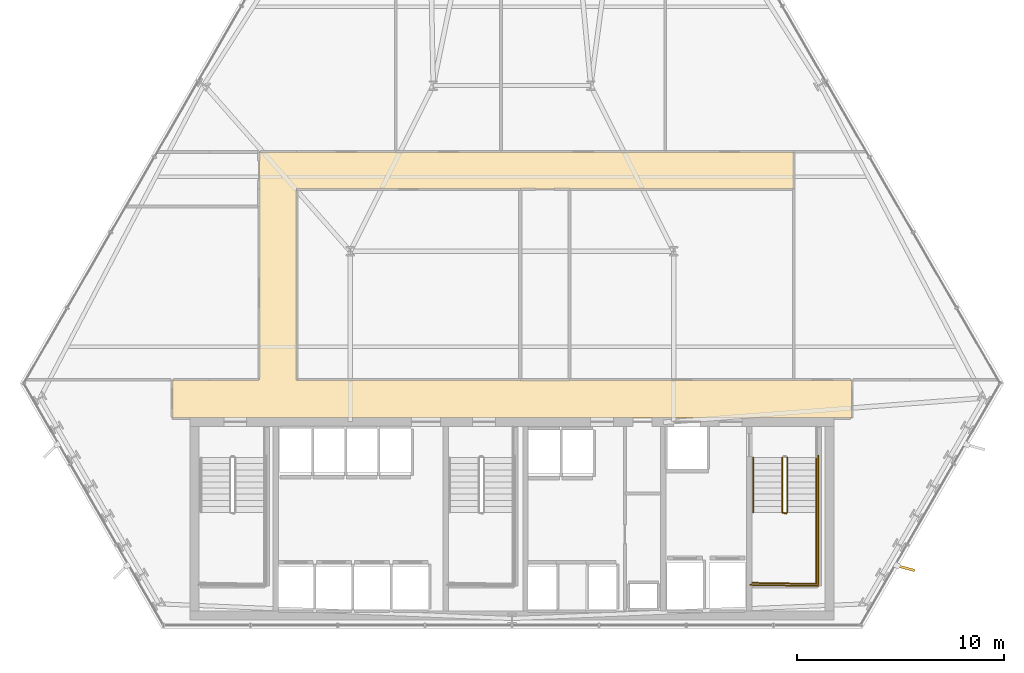
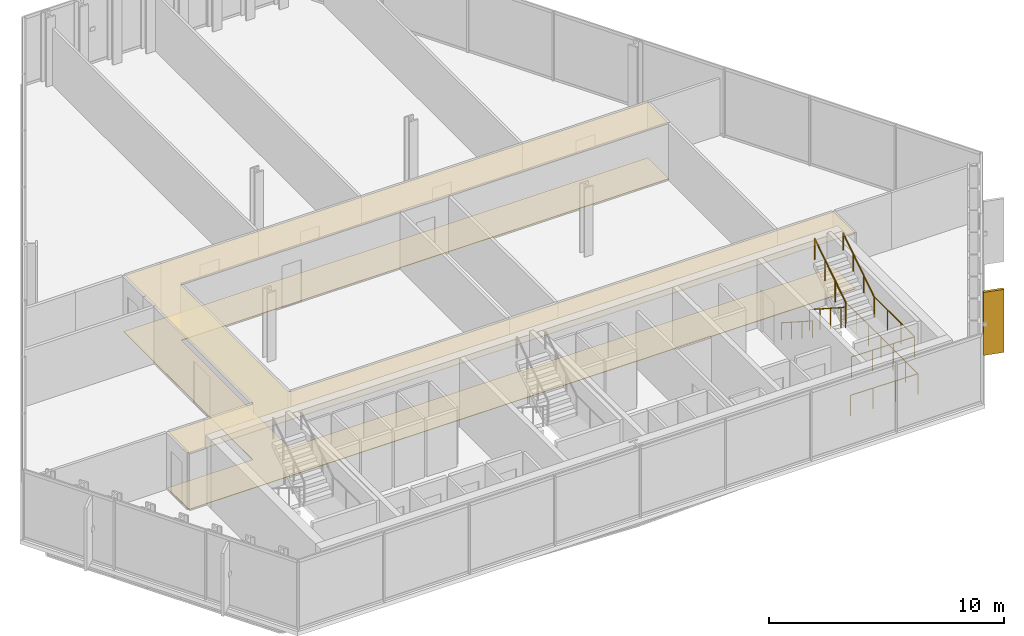
# One storey, part 29 of 31: 6 railings, 2 coverings, 1 shading device.
"""IFC4 building model written with IfcOpenShell, lengths in metres."""

from ifc_helpers import new_model, si_unit, direction, frame, origin, origin_2d, place, context, subcontext, project, spatial, polyline, rectangle, circle, outline, extrude, material, layer, layer_set, type_object, element, save


model = new_model("IFC4")

# Units and contexts
model_context = context("Model", 3, precision=1e-05, world=origin(), true_north=direction((0.0, 1.0)))
body_context = subcontext(model_context, "Body", "Model", "MODEL_VIEW")
ifc_project = project(units=[si_unit("LENGTHUNIT", "METRE"), si_unit("AREAUNIT", "SQUARE_METRE"), si_unit("VOLUMEUNIT", "CUBIC_METRE"), si_unit("PLANEANGLEUNIT", "RADIAN"), si_unit("MASSUNIT", "GRAM", prefix="KILO")], contexts=[model_context])

# Site, building, storey
site_placement = place(None, origin())
site = spatial("IfcSite", under=ifc_project, at=site_placement, CompositionType="ELEMENT")
building_placement = place(site_placement, origin())
building = spatial("IfcBuilding", under=site, at=building_placement, Name="Ndaravel Arena Tower", CompositionType="ELEMENT")
storey_placement = place(building_placement, frame((0.0, 0.0, 104.39990234375)))
storey = spatial("IfcBuildingStorey", under=building, at=storey_placement, Name="L24", CompositionType="ELEMENT", Elevation=104.39990234375)

# Coverings
ifc_material_1 = material(Name="Acoustic Ceiling Tile", Category="finish")
ifc_layer_1 = layer(ifc_material_1, 0.02490234375)
ifc_layer_set_1 = layer_set([ifc_layer_1], Name="Acoustic Ceiling Tile")
covering_type_1 = type_object("IfcCoveringType", Name="COV-CEIL-AC600", PredefinedType="CEILING", material=ifc_layer_set_1)
covering_1_placement = place(storey_placement, frame((0.0, 0.0, 2.920166015625)))
element("IfcCovering", 1, at=covering_1_placement, inside=storey, type_object=covering_type_1, Name="L24 Corridor Acoustic Ceiling", PredefinedType="CEILING", context=body_context, shape_type="SweptSolid", body=[
    extrude(outline(polyline([(58.39990234375, 17.0), (31.60009765625, 17.0), (31.60009765625, 26.199951171875), (55.60009765625, 26.199951171875), (55.60009765625, 28.0), (31.60009765625, 28.0), (29.800048828125, 28.0), (29.800048828125, 26.199951171875), (29.800048828125, 17.0), (25.60009765625, 17.0), (25.60009765625, 15.14990234375), (58.39990234375, 15.14990234375), (58.39990234375, 17.0)])), origin(), (0.0, 0.0, 1.0), 0.02490234375),
])
ifc_material_2 = material(Name="Terrazzo", Category="stone")
ifc_layer_2 = layer(ifc_material_2, 0.030029296875)
ifc_layer_set_2 = layer_set([ifc_layer_2], Name="Terrazzo")
covering_type_2 = type_object("IfcCoveringType", Name="COV-FLOOR-TERRAZZO", PredefinedType="FLOORING", material=ifc_layer_set_2)
covering_2_placement = place(storey_placement, origin())
element("IfcCovering", 2, at=covering_2_placement, inside=storey, type_object=covering_type_2, Name="L24 Corridor Terrazzo Flooring", PredefinedType="FLOORING", context=body_context, shape_type="SweptSolid", body=[
    extrude(outline(polyline([(58.39990234375, 17.0), (31.60009765625, 17.0), (31.60009765625, 26.199951171875), (55.60009765625, 26.199951171875), (55.60009765625, 28.0), (31.60009765625, 28.0), (29.800048828125, 28.0), (29.800048828125, 26.199951171875), (29.800048828125, 17.0), (25.60009765625, 17.0), (25.60009765625, 15.14990234375), (58.39990234375, 15.14990234375), (58.39990234375, 17.0)])), origin(), (0.0, 0.0, 1.0), 0.030029296875),
])

# Railings
ifc_material_3 = material(Name="Steel S355", Category="steel")
ifc_layer_3 = layer(ifc_material_3, 0.06005859375)
ifc_layer_set_3 = layer_set([ifc_layer_3], Name="Steel S355")
railing_type_1 = type_object("IfcRailingType", Name="RAIL-STAIR-GD1100", PredefinedType="GUARDRAIL", material=ifc_layer_set_3)
railing_1_placement = place(storey_placement, frame((55.050048828125, 13.25, 0.190185546875)))
element("IfcRailing", 3, at=railing_1_placement, inside=storey, type_object=railing_type_1, Name="L24 ST-3 stair guard 1", PredefinedType="GUARDRAIL", context=body_context, shape_type="SweptSolid", body=[
    extrude(circle(Radius=0.02392578125, at=origin_2d()), frame((0.0, 0.0, 1.076171875), z_axis=(0.0, -0.840723540582, 0.54146461409), x_axis=(1.0, 0.0, 0.0)), (0.0, 0.0, 1.0), 3.157958984375),
    extrude(circle(Radius=0.02392578125, at=origin_2d()), frame((0.0, -2.655029296875, 2.7861328125), z_axis=(0.966993988697, -0.254799187253, 0.0), x_axis=(0.254799187253, 0.966993988697, 0.0)), (0.0, 0.0, 1.0), 0.196533203125),
    extrude(circle(Radius=0.02099609375, at=origin_2d()), origin(), (0.0, 0.0, 1.0), 1.052001953125),
    extrude(circle(Radius=0.02099609375, at=origin_2d()), frame((0.0, -0.885009765625, 0.570068359375)), (0.0, 0.0, 1.0), 1.052001953125),
    extrude(circle(Radius=0.02099609375, at=origin_2d()), frame((0.0, -1.77001953125, 1.139892578125)), (0.0, 0.0, 1.0), 1.052001953125),
    extrude(circle(Radius=0.02099609375, at=origin_2d()), frame((0.0, -2.655029296875, 1.7099609375)), (0.0, 0.0, 1.0), 1.052001953125),
    extrude(circle(Radius=0.02099609375, at=origin_2d()), frame((0.18994140625, -2.705078125, 1.7099609375)), (0.0, 0.0, 1.0), 1.052001953125),
])
railing_2_placement = place(storey_placement, frame((56.68994140625, 10.594970703125, 1.900146484375)))
element("IfcRailing", 4, at=railing_2_placement, inside=storey, type_object=railing_type_1, Name="L24 ST-3 stair guard 2", PredefinedType="GUARDRAIL", context=body_context, shape_type="SweptSolid", body=[
    extrude(circle(Radius=0.02392578125, at=origin_2d()), frame((0.0, 0.0, 1.076171875), z_axis=(0.0, -1.0, 0.0), x_axis=(1.0, 0.0, 0.0)), (0.0, 0.0, 1.0), 3.445068359375),
    extrude(circle(Radius=0.02392578125, at=origin_2d()), frame((0.0, -3.445068359375, 1.076171875), z_axis=(-0.999868840623, 0.016195726322, 0.0), x_axis=(-0.016195726322, -0.999868840623, 0.0)), (0.0, 0.0, 1.0), 3.09033203125),
    extrude(circle(Radius=0.02099609375, at=origin_2d()), origin(), (0.0, 0.0, 1.0), 1.052001953125),
    extrude(circle(Radius=0.02099609375, at=origin_2d()), frame((0.0, -1.1484375, 0.0)), (0.0, 0.0, 1.0), 1.052001953125),
    extrude(circle(Radius=0.02099609375, at=origin_2d()), frame((0.0, -2.296630859375, 0.0)), (0.0, 0.0, 1.0), 1.052001953125),
    extrude(circle(Radius=0.02099609375, at=origin_2d()), frame((0.0, -3.445068359375, 0.0)), (0.0, 0.0, 1.0), 1.052001953125),
    extrude(circle(Radius=0.02099609375, at=origin_2d()), frame((-1.030029296875, -3.428466796875, 0.0)), (0.0, 0.0, 1.0), 1.052001953125),
    extrude(circle(Radius=0.02099609375, at=origin_2d()), frame((-2.059814453125, -3.41162109375, 0.0)), (0.0, 0.0, 1.0), 1.052001953125),
    extrude(circle(Radius=0.02099609375, at=origin_2d()), frame((-3.08984375, -3.39501953125, 0.0)), (0.0, 0.0, 1.0), 1.052001953125),
])
railing_3_placement = place(storey_placement, frame((55.2900390625, 10.594970703125, 2.090087890625)))
element("IfcRailing", 5, at=railing_3_placement, inside=storey, type_object=railing_type_1, Name="L24 ST-3 stair guard 3", PredefinedType="GUARDRAIL", context=body_context, shape_type="SweptSolid", body=[
    extrude(circle(Radius=0.02392578125, at=origin_2d()), frame((0.0, 0.0, 1.076171875), z_axis=(0.0, 0.840723540582, 0.54146461409), x_axis=(-1.0, 0.0, 0.0)), (0.0, 0.0, 1.0), 3.157958984375),
    extrude(circle(Radius=0.02099609375, at=origin_2d()), origin(), (0.0, 0.0, 1.0), 1.052001953125),
    extrude(circle(Radius=0.02099609375, at=origin_2d()), frame((0.0, 0.885009765625, 0.570068359375)), (0.0, 0.0, 1.0), 1.052001953125),
    extrude(circle(Radius=0.02099609375, at=origin_2d()), frame((0.0, 1.77001953125, 1.139892578125)), (0.0, 0.0, 1.0), 1.052001953125),
    extrude(circle(Radius=0.02099609375, at=origin_2d()), frame((0.0, 2.655029296875, 1.7099609375)), (0.0, 0.0, 1.0), 1.052001953125),
])
railing_4_placement = place(storey_placement, frame((56.7900390625, 13.35009765625, 0.0)))
element("IfcRailing", 6, at=railing_4_placement, inside=storey, type_object=railing_type_1, Name="L24 ST-3 stair guard 6", PredefinedType="GUARDRAIL", context=body_context, shape_type="SweptSolid", body=[
    extrude(circle(Radius=0.02392578125, at=origin_2d()), frame((0.0, 0.0, 1.076171875), z_axis=(0.0, -1.0, 0.0), x_axis=(1.0, 0.0, 0.0)), (0.0, 0.0, 1.0), 6.300048828125),
    extrude(circle(Radius=0.02392578125, at=origin_2d()), frame((0.0, -6.300048828125, 1.076171875), z_axis=(-0.99988431412, 0.015210469308, 0.0), x_axis=(-0.015210469308, -0.99988431412, 0.0)), (0.0, 0.0, 1.0), 3.29052734375),
    extrude(circle(Radius=0.02099609375, at=origin_2d()), origin(), (0.0, 0.0, 1.0), 1.052001953125),
    extrude(circle(Radius=0.02099609375, at=origin_2d()), frame((0.0, -1.050048828125, 0.0)), (0.0, 0.0, 1.0), 1.052001953125),
    extrude(circle(Radius=0.02099609375, at=origin_2d()), frame((0.0, -2.10009765625, 0.0)), (0.0, 0.0, 1.0), 1.052001953125),
    extrude(circle(Radius=0.02099609375, at=origin_2d()), frame((0.0, -3.14990234375, 0.0)), (0.0, 0.0, 1.0), 1.052001953125),
    extrude(circle(Radius=0.02099609375, at=origin_2d()), frame((0.0, -4.199951171875, 0.0)), (0.0, 0.0, 1.0), 1.052001953125),
    extrude(circle(Radius=0.02099609375, at=origin_2d()), frame((0.0, -5.25, 0.0)), (0.0, 0.0, 1.0), 1.052001953125),
    extrude(circle(Radius=0.02099609375, at=origin_2d()), frame((0.0, -6.300048828125, 0.0)), (0.0, 0.0, 1.0), 1.052001953125),
    extrude(circle(Radius=0.02099609375, at=origin_2d()), frame((-1.0966796875, -6.283447265625, 0.0)), (0.0, 0.0, 1.0), 1.052001953125),
    extrude(circle(Radius=0.02099609375, at=origin_2d()), frame((-2.193359375, -6.2666015625, 0.0)), (0.0, 0.0, 1.0), 1.052001953125),
    extrude(circle(Radius=0.02099609375, at=origin_2d()), frame((-3.2900390625, -6.25, 0.0)), (0.0, 0.0, 1.0), 1.052001953125),
])
ifc_material_4 = material(Name="Steel S355", Category="steel")
ifc_layer_4 = layer(ifc_material_4, 0.050048828125)
ifc_layer_set_4 = layer_set([ifc_layer_4], Name="Steel S355")
railing_type_2 = type_object("IfcRailingType", Name="RAIL-STAIR-HR920", PredefinedType="HANDRAIL", material=ifc_layer_set_4)
railing_5_placement = place(storey_placement, frame((53.64990234375, 13.25, 0.190185546875)))
element("IfcRailing", 7, at=railing_5_placement, inside=storey, type_object=railing_type_2, Name="L24 ST-3 stair handrail 1", PredefinedType="HANDRAIL", context=body_context, shape_type="SweptSolid", body=[
    extrude(circle(Radius=0.02392578125, at=origin_2d()), frame((0.0, 0.0, 0.8759765625), z_axis=(0.0, -0.840723540582, 0.54146461409), x_axis=(1.0, 0.0, 0.0)), (0.0, 0.0, 1.0), 3.157958984375),
    extrude(circle(Radius=0.02099609375, at=origin_2d()), origin(), (0.0, 0.0, 1.0), 0.851806640625),
    extrude(circle(Radius=0.02099609375, at=origin_2d()), frame((0.0, -0.885009765625, 0.570068359375)), (0.0, 0.0, 1.0), 0.851806640625),
    extrude(circle(Radius=0.02099609375, at=origin_2d()), frame((0.0, -1.77001953125, 1.139892578125)), (0.0, 0.0, 1.0), 0.851806640625),
    extrude(circle(Radius=0.02099609375, at=origin_2d()), frame((0.0, -2.655029296875, 1.7099609375)), (0.0, 0.0, 1.0), 0.851806640625),
])
railing_6_placement = place(storey_placement, frame((56.68994140625, 10.594970703125, 2.090087890625)))
element("IfcRailing", 8, at=railing_6_placement, inside=storey, type_object=railing_type_2, Name="L24 ST-3 stair handrail 2", PredefinedType="HANDRAIL", context=body_context, shape_type="SweptSolid", body=[
    extrude(circle(Radius=0.02392578125, at=origin_2d()), frame((0.0, 0.0, 0.8759765625), z_axis=(0.0, 0.840723540582, 0.54146461409), x_axis=(-1.0, 0.0, 0.0)), (0.0, 0.0, 1.0), 3.157958984375),
    extrude(circle(Radius=0.02099609375, at=origin_2d()), origin(), (0.0, 0.0, 1.0), 0.851806640625),
    extrude(circle(Radius=0.02099609375, at=origin_2d()), frame((0.0, 0.885009765625, 0.570068359375)), (0.0, 0.0, 1.0), 0.851806640625),
    extrude(circle(Radius=0.02099609375, at=origin_2d()), frame((0.0, 1.77001953125, 1.139892578125)), (0.0, 0.0, 1.0), 0.851806640625),
    extrude(circle(Radius=0.02099609375, at=origin_2d()), frame((0.0, 2.655029296875, 1.7099609375)), (0.0, 0.0, 1.0), 0.851806640625),
])

# Shading device
ifc_material_5 = material(Name="Masonry", Category="masonry")
shading_device_type = type_object("IfcShadingDeviceType", Name="SHD-MAZERAS-FIN", PredefinedType="SHUTTER", material=ifc_material_5)
shading_device_placement = place(storey_placement, frame((61.006591796875, 7.910888671875, 0.14990234375), z_axis=(0.0, 0.0, 1.0), x_axis=(0.965925826289, -0.258819045103, 0.0)))
element("IfcShadingDevice", 9, at=shading_device_placement, inside=storey, type_object=shading_device_type, Name="L24 Mazeras Stone Solar Fin E2.1", PredefinedType="SHUTTER", context=body_context, shape_type="SweptSolid", body=[
    extrude(rectangle(XDim=0.89990234375, YDim=0.1201171875, at=origin_2d()), origin(), (0.0, 0.0, 1.0), 3.280029296875),
])

save(model, "model.ifc")
